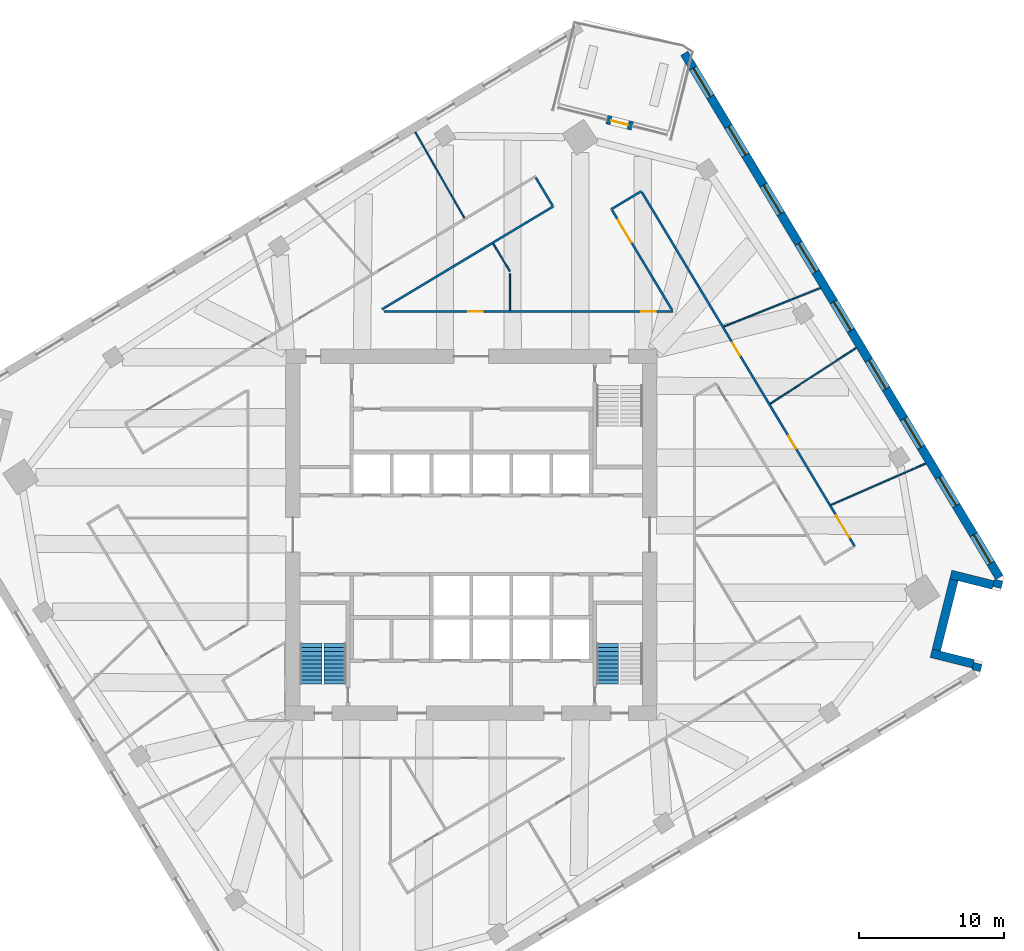
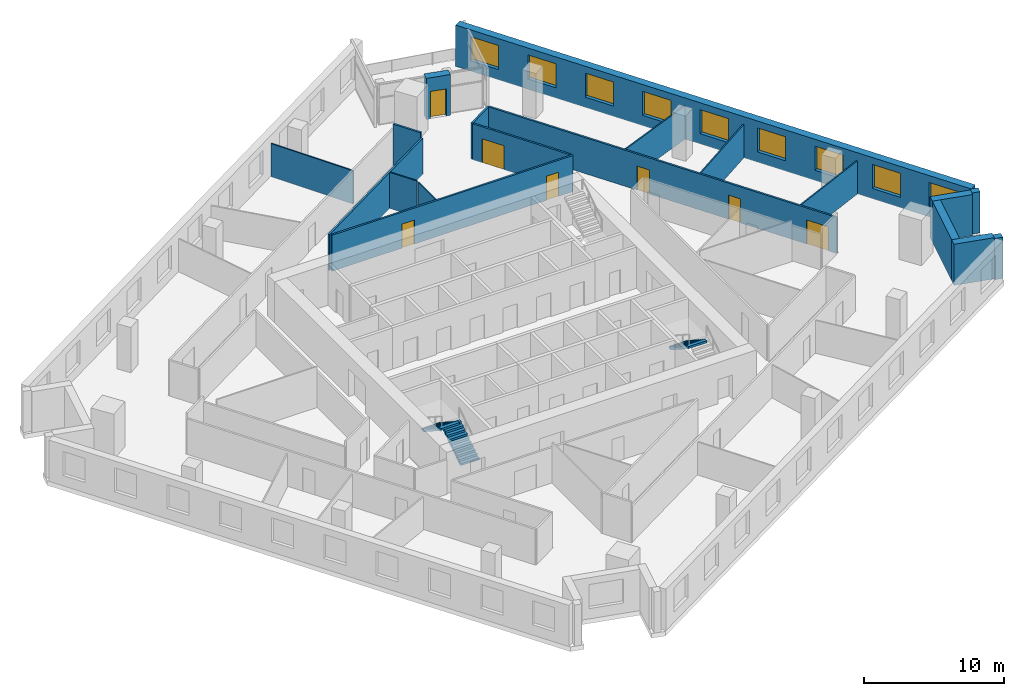
# One storey, part 10 of 14: 19 walls, 9 windows, 7 doors, 3 stair flights, 16 openings, 2 elements without a shape of their own.
"""IFC4 building model written with IfcOpenShell, lengths in metres."""

from ifc_helpers import new_model, si_unit, direction, frame, frame_2d, origin, place, context, subcontext, project, spatial, polyline, rectangle, outline, extrude, material, layer, layer_set, type_object, element, fill, aggregate, save


model = new_model("IFC4")

# Units and contexts
model_context = context("Model", 3, precision=1e-05, world=origin(), true_north=direction((0.0, 1.0)))
body_context = subcontext(model_context, "Body", "Model", "MODEL_VIEW")
ifc_project = project(units=[si_unit("LENGTHUNIT", "METRE"), si_unit("AREAUNIT", "SQUARE_METRE"), si_unit("VOLUMEUNIT", "CUBIC_METRE"), si_unit("PLANEANGLEUNIT", "RADIAN"), si_unit("MASSUNIT", "GRAM", prefix="KILO")], contexts=[model_context])

# Site, building, storey
site_placement = place(None, origin())
site = spatial("IfcSite", under=ifc_project, at=site_placement, CompositionType="ELEMENT")
building_placement = place(site_placement, origin())
building = spatial("IfcBuilding", under=site, at=building_placement, Name="Dilmun Exchange Tower", CompositionType="ELEMENT")
storey_placement = place(building_placement, frame((0.0, 0.0, 151.699951171875)))
storey = spatial("IfcBuildingStorey", under=building, at=storey_placement, Name="L35", CompositionType="ELEMENT", Elevation=151.699951171875)

# Wall
ifc_material_1 = material(Name="Corridor wall 150")
ifc_layer_1 = layer(ifc_material_1, 0.14990234375)
ifc_layer_set_1 = layer_set([ifc_layer_1], Name="Corridor wall 150")
wall_type_1 = type_object("IfcWallType", Name="Corridor wall 150", PredefinedType="PARTITIONING", material=ifc_layer_set_1)
wall_1_placement = place(storey_placement, frame((-6.15966796875, 15.5517578125, 0.0), z_axis=(0.0, 0.0, 1.0), x_axis=(0.857176686564, 0.51502245389, 0.0)))
element("IfcWall", 1, at=wall_1_placement, inside=storey, type_object=wall_type_1, Name="Corridor wall", PredefinedType="PARTITIONING", context=body_context, shape_type="SweptSolid", body=[
    extrude(rectangle(XDim=13.76708984375, YDim=0.14990234375, at=frame_2d((6.883544921875, 0.0))), origin(), (0.0, 0.0, 1.0), 3.150146484375),
])

# Wall, openings, doors
wall_2_placement = place(storey_placement, frame((-6.023193359375, 15.39990234375, 0.0), z_axis=(0.0, 0.0, 1.0), x_axis=(1.0, 0.0, 0.0)))
wall_2 = element("IfcWall", 2, at=wall_2_placement, inside=storey, type_object=wall_type_1, Name="Corridor wall", PredefinedType="PARTITIONING", context=body_context, shape_type="SweptSolid", body=[
    extrude(rectangle(XDim=19.93115234375, YDim=0.14990234375, at=frame_2d((9.965576171875, 0.0))), origin(), (0.0, 0.0, 1.0), 3.150146484375),
])
opening_1_placement = place(wall_2_placement, frame((5.800048828125, 0.0, 0.0)))
opening_1 = element("IfcOpeningElement", 3, at=opening_1_placement, cuts=wall_2, Name="Opening TF34-D12", PredefinedType="OPENING", context=body_context, shape_type="SweptSolid", body=[
    extrude(rectangle(XDim=1.0, YDim=2.10009765625, at=frame_2d((0.5, 1.050048828125))), frame((0.0, 0.0849609375, 0.0), z_axis=(0.0, -1.0, 0.0), x_axis=(1.0, 0.0, 0.0)), (0.0, 0.0, 1.0), 0.169921875),
])
opening_2_placement = place(wall_2_placement, frame((17.730224609375, 0.0, 0.0)))
opening_2 = element("IfcOpeningElement", 4, at=opening_2_placement, cuts=wall_2, Name="Opening TF34-D15", PredefinedType="OPENING", context=body_context, shape_type="SweptSolid", body=[
    extrude(rectangle(XDim=1.0, YDim=2.10009765625, at=frame_2d((0.5, 1.050048828125))), frame((0.0, 0.0849609375, 0.0), z_axis=(0.0, -1.0, 0.0), x_axis=(1.0, 0.0, 0.0)), (0.0, 0.0, 1.0), 0.169921875),
])
ifc_material_2 = material(Name="Fire door 1000 x 2100")
door_type_1 = type_object("IfcDoorType", Name="Fire door 1000 x 2100", OperationType="NOTDEFINED", PredefinedType="DOOR", material=ifc_material_2)
door_1_placement = place(opening_1_placement, origin())
door_1 = element("IfcDoor", 5, at=door_1_placement, inside=storey, type_object=door_type_1, Name="Door TF34-D12", OperationType="SINGLE_SWING_RIGHT", OverallHeight=2.10009765625, OverallWidth=1.0, PredefinedType="DOOR", context=body_context, shape_type="SweptSolid", body=[
    extrude(rectangle(XDim=1.0, YDim=2.10009765625, at=frame_2d((0.5, 1.050048828125))), frame((0.0, 0.02490234375, 0.0), z_axis=(0.0, -1.0, 0.0), x_axis=(1.0, 0.0, 0.0)), (0.0, 0.0, 1.0), 0.050048828125),
])
fill(opening_1, door_1)
door_2_placement = place(opening_2_placement, origin())
door_2 = element("IfcDoor", 6, at=door_2_placement, inside=storey, type_object=door_type_1, Name="Door TF34-D15", OperationType="SINGLE_SWING_RIGHT", OverallHeight=2.10009765625, OverallWidth=1.0, PredefinedType="DOOR", context=body_context, shape_type="SweptSolid", body=[
    extrude(rectangle(XDim=1.0, YDim=2.10009765625, at=frame_2d((0.5, 1.050048828125))), frame((0.0, 0.02490234375, 0.0), z_axis=(0.0, -1.0, 0.0), x_axis=(1.0, 0.0, 0.0)), (0.0, 0.0, 1.0), 0.050048828125),
])
fill(opening_2, door_2)

# Walls
wall_3_placement = place(storey_placement, frame((4.443603515625, 24.6357421875, 0.0), z_axis=(0.0, 0.0, 1.0), x_axis=(0.514830717933, -0.857291859213, 0.0)))
element("IfcWall", 7, at=wall_3_placement, inside=storey, type_object=wall_type_1, Name="Corridor wall", PredefinedType="PARTITIONING", context=body_context, shape_type="SweptSolid", body=[
    extrude(rectangle(XDim=2.250732421875, YDim=0.14990234375, at=frame_2d((1.12548828125, 0.0))), origin(), (0.0, 0.0, 1.0), 3.60009765625),
])
wall_4_placement = place(storey_placement, frame((9.6650390625, 22.4609375, 0.0), z_axis=(0.0, 0.0, 1.0), x_axis=(0.857133645358, 0.515094082664, 0.0)))
element("IfcWall", 8, at=wall_4_placement, inside=storey, type_object=wall_type_1, Name="Corridor wall", PredefinedType="PARTITIONING", context=body_context, shape_type="SweptSolid", body=[
    extrude(rectangle(XDim=2.399658203125, YDim=0.14990234375, at=frame_2d((1.19970703125, 0.0))), origin(), (0.0, 0.0, 1.0), 3.150146484375),
])

# Wall, opening, door
wall_5_placement = place(storey_placement, frame((9.70361328125, 22.396728515625, 0.0), z_axis=(0.0, 0.0, 1.0), x_axis=(0.51505899604, -0.857154729671, 0.0)))
wall_5 = element("IfcWall", 9, at=wall_5_placement, inside=storey, type_object=wall_type_1, Name="Corridor wall", PredefinedType="PARTITIONING", context=body_context, shape_type="SweptSolid", body=[
    extrude(rectangle(XDim=8.030029296875, YDim=0.14990234375, at=frame_2d((4.01513671875, 0.0))), origin(), (0.0, 0.0, 1.0), 3.150146484375),
])
opening_3_placement = place(wall_5_placement, frame((0.800048828125, 0.0, 0.0)))
opening_3 = element("IfcOpeningElement", 10, at=opening_3_placement, cuts=wall_5, Name="Opening TF34-D14", PredefinedType="OPENING", context=body_context, shape_type="SweptSolid", body=[
    extrude(rectangle(XDim=1.800048828125, YDim=2.10009765625, at=frame_2d((0.89990234375, 1.050048828125))), frame((0.0, 0.0849609375, 0.0), z_axis=(0.0, -1.0, 0.0), x_axis=(1.0, 0.0, 0.0)), (0.0, 0.0, 1.0), 0.169921875),
])
ifc_material_3 = material(Name="Fire door pair 1800 x 2100")
door_type_2 = type_object("IfcDoorType", Name="Fire door pair 1800 x 2100", OperationType="NOTDEFINED", PredefinedType="DOOR", material=ifc_material_3)
door_3_placement = place(opening_3_placement, frame((1.800048828125, 0.0, 0.0), z_axis=(0.0, 0.0, 1.0), x_axis=(-1.0, 0.0, 0.0)))
door_3 = element("IfcDoor", 11, at=door_3_placement, inside=storey, type_object=door_type_2, Name="Door TF34-D14", OperationType="DOUBLE_DOOR_SINGLE_SWING", OverallHeight=2.10009765625, OverallWidth=1.800048828125, PredefinedType="DOOR", context=body_context, shape_type="SweptSolid", body=[
    extrude(rectangle(XDim=1.800048828125, YDim=2.10009765625, at=frame_2d((0.89990234375, 1.050048828125))), frame((0.0, 0.02490234375, 0.0), z_axis=(0.0, -1.0, 0.0), x_axis=(1.0, 0.0, 0.0)), (0.0, 0.0, 1.0), 0.050048828125),
])
fill(opening_3, door_3)

# Wall, openings, doors
wall_6_placement = place(storey_placement, frame((11.760498046875, 23.6328125, 0.0), z_axis=(0.0, 0.0, 1.0), x_axis=(0.515060503771, -0.857153823684, 0.0)))
wall_6 = element("IfcWall", 12, at=wall_6_placement, inside=storey, type_object=wall_type_1, Name="Corridor wall", PredefinedType="PARTITIONING", context=body_context, shape_type="SweptSolid", body=[
    extrude(rectangle(XDim=28.475341796875, YDim=0.14990234375, at=frame_2d((14.23779296875, 0.0))), origin(), (0.0, 0.0, 1.0), 3.150146484375),
])
opening_4_placement = place(wall_6_placement, frame((12.149169921875, 0.0, 0.0)))
opening_4 = element("IfcOpeningElement", 13, at=opening_4_placement, cuts=wall_6, Name="Opening TF34-D21", PredefinedType="OPENING", context=body_context, shape_type="SweptSolid", body=[
    extrude(rectangle(XDim=1.0, YDim=2.10009765625, at=frame_2d((0.5, 1.050048828125))), frame((0.0, 0.0849609375, 0.0), z_axis=(0.0, -1.0, 0.0), x_axis=(1.0, 0.0, 0.0)), (0.0, 0.0, 1.0), 0.169921875),
])
opening_5_placement = place(wall_6_placement, frame((19.620361328125, 0.0, 0.0)))
opening_5 = element("IfcOpeningElement", 14, at=opening_5_placement, cuts=wall_6, Name="Opening TF34-D22", PredefinedType="OPENING", context=body_context, shape_type="SweptSolid", body=[
    extrude(rectangle(XDim=1.0, YDim=2.10009765625, at=frame_2d((0.5, 1.050048828125))), frame((0.0, 0.0849609375, 0.0), z_axis=(0.0, -1.0, 0.0), x_axis=(1.0, 0.0, 0.0)), (0.0, 0.0, 1.0), 0.169921875),
])
opening_6_placement = place(wall_6_placement, frame((26.005126953125, 0.0, 0.0)))
opening_6 = element("IfcOpeningElement", 15, at=opening_6_placement, cuts=wall_6, Name="Opening TF34-D23", PredefinedType="OPENING", context=body_context, shape_type="SweptSolid", body=[
    extrude(rectangle(XDim=1.800048828125, YDim=2.10009765625, at=frame_2d((0.89990234375, 1.050048828125))), frame((0.0, 0.0849609375, 0.0), z_axis=(0.0, -1.0, 0.0), x_axis=(1.0, 0.0, 0.0)), (0.0, 0.0, 1.0), 0.169921875),
])
door_4_placement = place(opening_4_placement, origin())
door_4 = element("IfcDoor", 16, at=door_4_placement, inside=storey, type_object=door_type_1, Name="Door TF34-D21", OperationType="SINGLE_SWING_LEFT", OverallHeight=2.10009765625, OverallWidth=1.0, PredefinedType="DOOR", context=body_context, shape_type="SweptSolid", body=[
    extrude(rectangle(XDim=1.0, YDim=2.10009765625, at=frame_2d((0.5, 1.050048828125))), frame((0.0, 0.02490234375, 0.0), z_axis=(0.0, -1.0, 0.0), x_axis=(1.0, 0.0, 0.0)), (0.0, 0.0, 1.0), 0.050048828125),
])
fill(opening_4, door_4)
door_5_placement = place(opening_5_placement, origin())
door_5 = element("IfcDoor", 17, at=door_5_placement, inside=storey, type_object=door_type_1, Name="Door TF34-D22", OperationType="SINGLE_SWING_LEFT", OverallHeight=2.10009765625, OverallWidth=1.0, PredefinedType="DOOR", context=body_context, shape_type="SweptSolid", body=[
    extrude(rectangle(XDim=1.0, YDim=2.10009765625, at=frame_2d((0.5, 1.050048828125))), frame((0.0, 0.02490234375, 0.0), z_axis=(0.0, -1.0, 0.0), x_axis=(1.0, 0.0, 0.0)), (0.0, 0.0, 1.0), 0.050048828125),
])
fill(opening_5, door_5)
door_6_placement = place(opening_6_placement, origin())
door_6 = element("IfcDoor", 18, at=door_6_placement, inside=storey, type_object=door_type_2, Name="Door TF34-D23", OperationType="DOUBLE_DOOR_SINGLE_SWING", OverallHeight=2.10009765625, OverallWidth=1.800048828125, PredefinedType="DOOR", context=body_context, shape_type="SweptSolid", body=[
    extrude(rectangle(XDim=1.800048828125, YDim=2.10009765625, at=frame_2d((0.89990234375, 1.050048828125))), frame((0.0, 0.02490234375, 0.0), z_axis=(0.0, -1.0, 0.0), x_axis=(1.0, 0.0, 0.0)), (0.0, 0.0, 1.0), 0.050048828125),
])
fill(opening_6, door_6)

# Walls
ifc_material_4 = material(Name="Partition 100")
ifc_layer_2 = layer(ifc_material_4, 0.10009765625)
ifc_layer_set_2 = layer_set([ifc_layer_2], Name="Partition 100")
wall_type_2 = type_object("IfcWallType", Name="Partition 100", PredefinedType="PARTITIONING", material=ifc_layer_set_2)
wall_7_placement = place(storey_placement, frame((-3.86865234375, 27.772216796875, 0.0), z_axis=(0.0, 0.0, 1.0), x_axis=(0.496921350826, -0.867795581398, 0.0)))
element("IfcWall", 19, at=wall_7_placement, inside=storey, type_object=wall_type_2, Name="Partition", PredefinedType="PARTITIONING", context=body_context, shape_type="SweptSolid", body=[
    extrude(rectangle(XDim=6.81982421875, YDim=0.10009765625, at=frame_2d((3.409912109375, 0.0))), origin(), (0.0, 0.0, 1.0), 2.900146484375),
])
wall_8_placement = place(storey_placement, frame((1.515625, 20.07568359375, 0.0), z_axis=(0.0, 0.0, 1.0), x_axis=(0.515208669109, -0.857064774259, 0.0)))
element("IfcWall", 20, at=wall_8_placement, inside=storey, type_object=wall_type_2, Name="Partition", PredefinedType="PARTITIONING", context=body_context, shape_type="SweptSolid", body=[
    extrude(rectangle(XDim=2.21533203125, YDim=0.10009765625, at=frame_2d((1.107666015625, 0.0))), origin(), (0.0, 0.0, 1.0), 3.150146484375),
])
wall_9_placement = place(storey_placement, frame((2.656982421875, 15.47509765625, 0.0), z_axis=(0.0, 0.0, 1.0), x_axis=(0.0, 1.0, 0.0)))
element("IfcWall", 21, at=wall_9_placement, inside=storey, type_object=wall_type_2, Name="Partition", PredefinedType="PARTITIONING", context=body_context, shape_type="SweptSolid", body=[
    extrude(rectangle(XDim=2.521728515625, YDim=0.10009765625, at=frame_2d((1.2607421875, 0.0))), origin(), (0.0, 0.0, 1.0), 3.150146484375),
])
wall_10_placement = place(storey_placement, frame((17.427001953125, 14.3642578125, 0.0), z_axis=(0.0, 0.0, 1.0), x_axis=(0.928344828439, 0.371720162906, 0.0)))
element("IfcWall", 22, at=wall_10_placement, inside=storey, type_object=wall_type_2, Name="Partition", PredefinedType="PARTITIONING", context=body_context, shape_type="SweptSolid", body=[
    extrude(rectangle(XDim=7.15380859375, YDim=0.10009765625, at=frame_2d((3.576904296875, 0.0))), origin(), (0.0, 0.0, 1.0), 2.900146484375),
])
wall_11_placement = place(storey_placement, frame((20.618408203125, 9.041748046875, 0.0), z_axis=(0.0, 0.0, 1.0), x_axis=(0.838556384035, 0.544814822479, 0.0)))
element("IfcWall", 23, at=wall_11_placement, inside=storey, type_object=wall_type_2, Name="Partition", PredefinedType="PARTITIONING", context=body_context, shape_type="SweptSolid", body=[
    extrude(rectangle(XDim=7.072265625, YDim=0.10009765625, at=frame_2d((3.5361328125, 0.0))), origin(), (0.0, 0.0, 1.0), 2.900146484375),
])
wall_12_placement = place(storey_placement, frame((24.818115234375, 2.060791015625, 0.0), z_axis=(0.0, 0.0, 1.0), x_axis=(0.915839969102, 0.401543460905, 0.0)))
element("IfcWall", 24, at=wall_12_placement, inside=storey, type_object=wall_type_2, Name="Partition", PredefinedType="PARTITIONING", context=body_context, shape_type="SweptSolid", body=[
    extrude(rectangle(XDim=7.12158203125, YDim=0.10009765625, at=frame_2d((3.560791015625, 0.0))), origin(), (0.0, 0.0, 1.0), 2.900146484375),
])
ifc_material_5 = material(Name="Precast concrete C50/60", Category="concrete")
ifc_layer_3 = layer(ifc_material_5, 0.60009765625)
ifc_layer_set_3 = layer_set([ifc_layer_3], Name="Precast concrete C50/60")
wall_type_3 = type_object("IfcWallType", Name="Precast stone-clad wall 600", PredefinedType="STANDARD", material=ifc_layer_set_3)
wall_13_placement = place(storey_placement, frame((34.8134765625, -9.3662109375, 0.0), z_axis=(0.0, 0.0, 1.0), x_axis=(0.242086198947, 0.970254746074, 0.0)))
element("IfcWall", 25, at=wall_13_placement, inside=storey, type_object=wall_type_3, Name="Facade wall L35-16", PredefinedType="STANDARD", context=body_context, shape_type="SweptSolid", body=[
    extrude(rectangle(XDim=0.51123046875, YDim=0.60009765625, at=frame_2d((0.255615234375, 0.0))), origin(), (0.0, 0.0, 1.0), 3.60009765625),
])
wall_14_placement = place(storey_placement, frame((34.6220703125, -8.894287109375, 0.0), z_axis=(0.0, 0.0, 1.0), x_axis=(-0.970309818485, 0.241865367822, 0.0)))
element("IfcWall", 26, at=wall_14_placement, inside=storey, type_object=wall_type_3, Name="Facade wall L35-17", PredefinedType="STANDARD", context=body_context, shape_type="SweptSolid", body=[
    extrude(rectangle(XDim=3.0, YDim=0.60009765625, at=frame_2d((1.5, 0.0))), origin(), (0.0, 0.0, 1.0), 3.60009765625),
])
wall_15_placement = place(storey_placement, frame((32.07470703125, -7.9501953125, 0.0), z_axis=(0.0, 0.0, 1.0), x_axis=(0.241892195562, 0.970303130844, 0.0)))
element("IfcWall", 27, at=wall_15_placement, inside=storey, type_object=wall_type_3, Name="Facade wall L35-18", PredefinedType="STANDARD", context=body_context, shape_type="SweptSolid", body=[
    extrude(rectangle(XDim=5.0, YDim=0.60009765625, at=frame_2d((2.5, 0.0))), origin(), (0.0, 0.0, 1.0), 3.60009765625),
])
wall_16_placement = place(storey_placement, frame((33.06591796875, -2.735107421875, 0.0), z_axis=(0.0, 0.0, 1.0), x_axis=(0.970309818485, -0.241865367822, 0.0)))
element("IfcWall", 28, at=wall_16_placement, inside=storey, type_object=wall_type_3, Name="Facade wall L35-19", PredefinedType="STANDARD", context=body_context, shape_type="SweptSolid", body=[
    extrude(rectangle(XDim=3.0, YDim=0.60009765625, at=frame_2d((1.5, 0.0))), origin(), (0.0, 0.0, 1.0), 3.60009765625),
])
wall_17_placement = place(storey_placement, frame((36.24365234375, -3.63037109375, 0.0), z_axis=(0.0, 0.0, 1.0), x_axis=(0.241636616978, 0.970366809683, 0.0)))
element("IfcWall", 29, at=wall_17_placement, inside=storey, type_object=wall_type_3, Name="Facade wall L35-20", PredefinedType="STANDARD", context=body_context, shape_type="SweptSolid", body=[
    extrude(rectangle(XDim=0.51123046875, YDim=0.60009765625, at=frame_2d((0.255615234375, 0.0))), origin(), (0.0, 0.0, 1.0), 3.60009765625),
])

# Wall, openings, windows
wall_18_placement = place(storey_placement, frame((36.415771484375, -2.940185546875, 0.0), z_axis=(0.0, 0.0, 1.0), x_axis=(-0.515039615037, 0.857166375299, 0.0)))
wall_18 = element("IfcWall", 30, at=wall_18_placement, inside=storey, type_object=wall_type_3, Name="Facade wall L35-21", PredefinedType="STANDARD", context=body_context, shape_type="SweptSolid", body=[
    extrude(rectangle(XDim=42.17578125, YDim=0.60009765625, at=frame_2d((21.087890625, 0.0))), origin(), (0.0, 0.0, 1.0), 3.60009765625),
])
opening_7_placement = place(wall_18_placement, frame((1.137939453125, 0.0, 0.89990234375)))
opening_7 = element("IfcOpeningElement", 31, at=opening_7_placement, cuts=wall_18, Name="Opening W230-210", PredefinedType="OPENING", context=body_context, shape_type="SweptSolid", body=[
    extrude(rectangle(XDim=2.300048828125, YDim=2.10009765625, at=frame_2d((1.14990234375, 1.050048828125))), frame((0.0, 0.31005859375, 0.0), z_axis=(0.0, -1.0, 0.0), x_axis=(1.0, 0.0, 0.0)), (0.0, 0.0, 1.0), 0.6201171875),
])
opening_8_placement = place(wall_18_placement, frame((5.775634765625, 0.0, 0.89990234375)))
opening_8 = element("IfcOpeningElement", 32, at=opening_8_placement, cuts=wall_18, Name="Opening W230-210", PredefinedType="OPENING", context=body_context, shape_type="SweptSolid", body=[
    extrude(rectangle(XDim=2.300048828125, YDim=2.10009765625, at=frame_2d((1.14990234375, 1.050048828125))), frame((0.0, 0.31005859375, 0.0), z_axis=(0.0, -1.0, 0.0), x_axis=(1.0, 0.0, 0.0)), (0.0, 0.0, 1.0), 0.6201171875),
])
opening_9_placement = place(wall_18_placement, frame((10.4755859375, 0.0, 0.89990234375)))
opening_9 = element("IfcOpeningElement", 33, at=opening_9_placement, cuts=wall_18, Name="Opening W230-210", PredefinedType="OPENING", context=body_context, shape_type="SweptSolid", body=[
    extrude(rectangle(XDim=2.300048828125, YDim=2.10009765625, at=frame_2d((1.14990234375, 1.050048828125))), frame((0.0, 0.31005859375, 0.0), z_axis=(0.0, -1.0, 0.0), x_axis=(1.0, 0.0, 0.0)), (0.0, 0.0, 1.0), 0.6201171875),
])
opening_10_placement = place(wall_18_placement, frame((15.17578125, 0.0, 0.89990234375)))
opening_10 = element("IfcOpeningElement", 34, at=opening_10_placement, cuts=wall_18, Name="Opening W230-210", PredefinedType="OPENING", context=body_context, shape_type="SweptSolid", body=[
    extrude(rectangle(XDim=2.300048828125, YDim=2.10009765625, at=frame_2d((1.14990234375, 1.050048828125))), frame((0.0, 0.31005859375, 0.0), z_axis=(0.0, -1.0, 0.0), x_axis=(1.0, 0.0, 0.0)), (0.0, 0.0, 1.0), 0.6201171875),
])
opening_11_placement = place(wall_18_placement, frame((19.875732421875, 0.0, 0.89990234375)))
opening_11 = element("IfcOpeningElement", 35, at=opening_11_placement, cuts=wall_18, Name="Opening W230-210", PredefinedType="OPENING", context=body_context, shape_type="SweptSolid", body=[
    extrude(rectangle(XDim=2.300048828125, YDim=2.10009765625, at=frame_2d((1.14990234375, 1.050048828125))), frame((0.0, 0.31005859375, 0.0), z_axis=(0.0, -1.0, 0.0), x_axis=(1.0, 0.0, 0.0)), (0.0, 0.0, 1.0), 0.6201171875),
])
opening_12_placement = place(wall_18_placement, frame((24.57568359375, 0.0, 0.89990234375)))
opening_12 = element("IfcOpeningElement", 36, at=opening_12_placement, cuts=wall_18, Name="Opening W230-210", PredefinedType="OPENING", context=body_context, shape_type="SweptSolid", body=[
    extrude(rectangle(XDim=2.300048828125, YDim=2.10009765625, at=frame_2d((1.14990234375, 1.050048828125))), frame((0.0, 0.31005859375, 0.0), z_axis=(0.0, -1.0, 0.0), x_axis=(1.0, 0.0, 0.0)), (0.0, 0.0, 1.0), 0.6201171875),
])
opening_13_placement = place(wall_18_placement, frame((29.275634765625, 0.0, 0.89990234375)))
opening_13 = element("IfcOpeningElement", 37, at=opening_13_placement, cuts=wall_18, Name="Opening W230-210", PredefinedType="OPENING", context=body_context, shape_type="SweptSolid", body=[
    extrude(rectangle(XDim=2.300048828125, YDim=2.10009765625, at=frame_2d((1.14990234375, 1.050048828125))), frame((0.0, 0.31005859375, 0.0), z_axis=(0.0, -1.0, 0.0), x_axis=(1.0, 0.0, 0.0)), (0.0, 0.0, 1.0), 0.6201171875),
])
opening_14_placement = place(wall_18_placement, frame((33.9755859375, 0.0, 0.89990234375)))
opening_14 = element("IfcOpeningElement", 38, at=opening_14_placement, cuts=wall_18, Name="Opening W230-210", PredefinedType="OPENING", context=body_context, shape_type="SweptSolid", body=[
    extrude(rectangle(XDim=2.300048828125, YDim=2.10009765625, at=frame_2d((1.14990234375, 1.050048828125))), frame((0.0, 0.31005859375, 0.0), z_axis=(0.0, -1.0, 0.0), x_axis=(1.0, 0.0, 0.0)), (0.0, 0.0, 1.0), 0.6201171875),
])
opening_15_placement = place(wall_18_placement, frame((38.67578125, 0.0, 0.89990234375)))
opening_15 = element("IfcOpeningElement", 39, at=opening_15_placement, cuts=wall_18, Name="Opening W230-210", PredefinedType="OPENING", context=body_context, shape_type="SweptSolid", body=[
    extrude(rectangle(XDim=2.300048828125, YDim=2.10009765625, at=frame_2d((1.14990234375, 1.050048828125))), frame((0.0, 0.31005859375, 0.0), z_axis=(0.0, -1.0, 0.0), x_axis=(1.0, 0.0, 0.0)), (0.0, 0.0, 1.0), 0.6201171875),
])
ifc_material_6 = material(Name="Clear low-emissivity glass in aluminium frame", Category="aluminium")
window_type = type_object("IfcWindowType", Name="Punched window 2300 x 2100", PartitioningType="DOUBLE_PANEL_VERTICAL", PredefinedType="WINDOW", material=ifc_material_6)
window_1_placement = place(opening_7_placement, origin())
window_1 = element("IfcWindow", 40, at=window_1_placement, inside=storey, type_object=window_type, Name="Window 22.1", OverallHeight=2.10009765625, OverallWidth=2.300048828125, PartitioningType="SINGLE_PANEL", PredefinedType="WINDOW", context=body_context, shape_type="SweptSolid", body=[
    extrude(rectangle(XDim=2.300048828125, YDim=2.10009765625, at=frame_2d((1.14990234375, 1.050048828125))), frame((0.0, 0.030029296875, 0.0), z_axis=(0.0, -1.0, 0.0), x_axis=(1.0, 0.0, 0.0)), (0.0, 0.0, 1.0), 0.06005859375),
])
fill(opening_7, window_1)
window_2_placement = place(opening_8_placement, origin())
window_2 = element("IfcWindow", 41, at=window_2_placement, inside=storey, type_object=window_type, Name="Window 22.2", OverallHeight=2.10009765625, OverallWidth=2.300048828125, PartitioningType="SINGLE_PANEL", PredefinedType="WINDOW", context=body_context, shape_type="SweptSolid", body=[
    extrude(rectangle(XDim=2.300048828125, YDim=2.10009765625, at=frame_2d((1.14990234375, 1.050048828125))), frame((0.0, 0.030029296875, 0.0), z_axis=(0.0, -1.0, 0.0), x_axis=(1.0, 0.0, 0.0)), (0.0, 0.0, 1.0), 0.06005859375),
])
fill(opening_8, window_2)
window_3_placement = place(opening_9_placement, origin())
window_3 = element("IfcWindow", 42, at=window_3_placement, inside=storey, type_object=window_type, Name="Window 22.3", OverallHeight=2.10009765625, OverallWidth=2.300048828125, PartitioningType="SINGLE_PANEL", PredefinedType="WINDOW", context=body_context, shape_type="SweptSolid", body=[
    extrude(rectangle(XDim=2.300048828125, YDim=2.10009765625, at=frame_2d((1.14990234375, 1.050048828125))), frame((0.0, 0.030029296875, 0.0), z_axis=(0.0, -1.0, 0.0), x_axis=(1.0, 0.0, 0.0)), (0.0, 0.0, 1.0), 0.06005859375),
])
fill(opening_9, window_3)
window_4_placement = place(opening_10_placement, origin())
window_4 = element("IfcWindow", 43, at=window_4_placement, inside=storey, type_object=window_type, Name="Window 22.4", OverallHeight=2.10009765625, OverallWidth=2.300048828125, PartitioningType="SINGLE_PANEL", PredefinedType="WINDOW", context=body_context, shape_type="SweptSolid", body=[
    extrude(rectangle(XDim=2.300048828125, YDim=2.10009765625, at=frame_2d((1.14990234375, 1.050048828125))), frame((0.0, 0.030029296875, 0.0), z_axis=(0.0, -1.0, 0.0), x_axis=(1.0, 0.0, 0.0)), (0.0, 0.0, 1.0), 0.06005859375),
])
fill(opening_10, window_4)
window_5_placement = place(opening_11_placement, origin())
window_5 = element("IfcWindow", 44, at=window_5_placement, inside=storey, type_object=window_type, Name="Window 22.5", OverallHeight=2.10009765625, OverallWidth=2.300048828125, PartitioningType="SINGLE_PANEL", PredefinedType="WINDOW", context=body_context, shape_type="SweptSolid", body=[
    extrude(rectangle(XDim=2.300048828125, YDim=2.10009765625, at=frame_2d((1.14990234375, 1.050048828125))), frame((0.0, 0.030029296875, 0.0), z_axis=(0.0, -1.0, 0.0), x_axis=(1.0, 0.0, 0.0)), (0.0, 0.0, 1.0), 0.06005859375),
])
fill(opening_11, window_5)
window_6_placement = place(opening_12_placement, origin())
window_6 = element("IfcWindow", 45, at=window_6_placement, inside=storey, type_object=window_type, Name="Window 22.6", OverallHeight=2.10009765625, OverallWidth=2.300048828125, PartitioningType="SINGLE_PANEL", PredefinedType="WINDOW", context=body_context, shape_type="SweptSolid", body=[
    extrude(rectangle(XDim=2.300048828125, YDim=2.10009765625, at=frame_2d((1.14990234375, 1.050048828125))), frame((0.0, 0.030029296875, 0.0), z_axis=(0.0, -1.0, 0.0), x_axis=(1.0, 0.0, 0.0)), (0.0, 0.0, 1.0), 0.06005859375),
])
fill(opening_12, window_6)
window_7_placement = place(opening_13_placement, origin())
window_7 = element("IfcWindow", 46, at=window_7_placement, inside=storey, type_object=window_type, Name="Window 22.7", OverallHeight=2.10009765625, OverallWidth=2.300048828125, PartitioningType="SINGLE_PANEL", PredefinedType="WINDOW", context=body_context, shape_type="SweptSolid", body=[
    extrude(rectangle(XDim=2.300048828125, YDim=2.10009765625, at=frame_2d((1.14990234375, 1.050048828125))), frame((0.0, 0.030029296875, 0.0), z_axis=(0.0, -1.0, 0.0), x_axis=(1.0, 0.0, 0.0)), (0.0, 0.0, 1.0), 0.06005859375),
])
fill(opening_13, window_7)
window_8_placement = place(opening_14_placement, origin())
window_8 = element("IfcWindow", 47, at=window_8_placement, inside=storey, type_object=window_type, Name="Window 22.8", OverallHeight=2.10009765625, OverallWidth=2.300048828125, PartitioningType="SINGLE_PANEL", PredefinedType="WINDOW", context=body_context, shape_type="SweptSolid", body=[
    extrude(rectangle(XDim=2.300048828125, YDim=2.10009765625, at=frame_2d((1.14990234375, 1.050048828125))), frame((0.0, 0.030029296875, 0.0), z_axis=(0.0, -1.0, 0.0), x_axis=(1.0, 0.0, 0.0)), (0.0, 0.0, 1.0), 0.06005859375),
])
fill(opening_14, window_8)
window_9_placement = place(opening_15_placement, origin())
window_9 = element("IfcWindow", 48, at=window_9_placement, inside=storey, type_object=window_type, Name="Window 22.9", OverallHeight=2.10009765625, OverallWidth=2.300048828125, PartitioningType="SINGLE_PANEL", PredefinedType="WINDOW", context=body_context, shape_type="SweptSolid", body=[
    extrude(rectangle(XDim=2.300048828125, YDim=2.10009765625, at=frame_2d((1.14990234375, 1.050048828125))), frame((0.0, 0.030029296875, 0.0), z_axis=(0.0, -1.0, 0.0), x_axis=(1.0, 0.0, 0.0)), (0.0, 0.0, 1.0), 0.06005859375),
])
fill(opening_15, window_9)

# Wall, opening, door
wall_19_placement = place(storey_placement, frame((11.096923828125, 28.1982421875, 0.0), z_axis=(0.0, 0.0, 1.0), x_axis=(-0.970277994717, 0.241993001898, 0.0)))
wall_19 = element("IfcWall", 49, at=wall_19_placement, inside=storey, type_object=wall_type_3, Name="Facade wall L35-01-D", PredefinedType="STANDARD", context=body_context, shape_type="SweptSolid", body=[
    extrude(rectangle(XDim=1.7998046875, YDim=0.60009765625, at=frame_2d((0.89990234375, 0.0))), origin(), (0.0, 0.0, 1.0), 3.60009765625),
])
opening_16_placement = place(wall_19_placement, frame((0.300048828125, 0.0, 0.0)))
opening_16 = element("IfcOpeningElement", 50, at=opening_16_placement, cuts=wall_19, Name="Opening GD-1", PredefinedType="OPENING", context=body_context, shape_type="SweptSolid", body=[
    extrude(rectangle(XDim=1.199951171875, YDim=2.39990234375, at=frame_2d((0.60009765625, 1.199951171875))), frame((0.0, 0.31005859375, 0.0), z_axis=(0.0, -1.0, 0.0), x_axis=(1.0, 0.0, 0.0)), (0.0, 0.0, 1.0), 0.6201171875),
])
door_type_3 = type_object("IfcDoorType", Name="Glazed garden door 1200 x 2400", OperationType="SINGLE_SWING_LEFT", PredefinedType="DOOR", material=ifc_material_6)
door_7_placement = place(opening_16_placement, origin())
door_7 = element("IfcDoor", 51, at=door_7_placement, inside=storey, type_object=door_type_3, Name="Garden terrace door", OperationType="SINGLE_SWING_LEFT", OverallHeight=2.39990234375, OverallWidth=1.199951171875, PredefinedType="DOOR", context=body_context, shape_type="SweptSolid", body=[
    extrude(rectangle(XDim=1.199951171875, YDim=2.39990234375, at=frame_2d((0.60009765625, 1.199951171875))), frame((0.0, 0.02490234375, 0.0), z_axis=(0.0, -1.0, 0.0), x_axis=(1.0, 0.0, 0.0)), (0.0, 0.0, 1.0), 0.050048828125),
])
fill(opening_16, door_7)

# Stair, stair flights
ifc_material_7 = material(Name="Concrete C40/50", Category="concrete")
stair_type = type_object("IfcStairType", Name="Exit stair 1500 half-turn", PredefinedType="HALF_TURN_STAIR", material=ifc_material_7)
stair_1_placement = place(storey_placement, origin())
stair_1 = element("IfcStair", 52, at=stair_1_placement, inside=storey, type_object=stair_type, Name="L35 Protected exit stair ST2", PredefinedType="HALF_TURN_STAIR")
stair_flight_type = type_object("IfcStairFlightType", Name="Exit stair flight 1500", PredefinedType="STRAIGHT", material=ifc_material_7)
stair_flight_1_placement = place(storey_placement, frame((-9.39990234375, -10.300048828125, 0.0), z_axis=(0.0, 0.0, 1.0), x_axis=(0.0, 1.0, 0.0)))
stair_flight_1 = element("IfcStairFlight", 53, at=stair_flight_1_placement, type_object=stair_flight_type, Name="ST2 flight 1", NumberOfRisers=11, NumberOfTreads=10, PredefinedType="STRAIGHT", RiserHeight=0.181818182, TreadLength=0.28, context=body_context, shape_type="SweptSolid", body=[
    extrude(outline(polyline([(0.0, 0.0), (0.0, 0.181884765625), (0.280029296875, 0.181884765625), (0.280029296875, 0.363525390625), (0.56005859375, 0.363525390625), (0.56005859375, 0.54541015625), (0.840087890625, 0.54541015625), (0.840087890625, 0.727294921875), (1.1201171875, 0.727294921875), (1.1201171875, 0.9091796875), (1.39990234375, 0.9091796875), (1.39990234375, 1.0908203125), (1.679931640625, 1.0908203125), (1.679931640625, 1.272705078125), (1.9599609375, 1.272705078125), (1.9599609375, 1.45458984375), (2.239990234375, 1.45458984375), (2.239990234375, 1.636474609375), (2.52001953125, 1.636474609375), (2.52001953125, 1.818115234375), (2.800048828125, 1.818115234375), (2.800048828125, 2.0), (2.800048828125, 1.639404296875), (0.275146484375, 0.0), (0.0, 0.0)])), frame((0.0, 0.75, 0.0), z_axis=(0.0, -1.0, 0.0), x_axis=(1.0, 0.0, 0.0)), (0.0, 0.0, 1.0), 1.5),
])
stair_flight_2_placement = place(storey_placement, frame((-11.050048828125, -7.5, 2.0), z_axis=(0.0, 0.0, 1.0), x_axis=(0.0, -1.0, 0.0)))
stair_flight_2 = element("IfcStairFlight", 54, at=stair_flight_2_placement, type_object=stair_flight_type, Name="ST2 flight 2", NumberOfRisers=11, NumberOfTreads=10, PredefinedType="STRAIGHT", RiserHeight=0.181818182, TreadLength=0.28, context=body_context, shape_type="SweptSolid", body=[
    extrude(outline(polyline([(0.0, 0.0), (0.0, 0.181884765625), (0.280029296875, 0.181884765625), (0.280029296875, 0.363525390625), (0.56005859375, 0.363525390625), (0.56005859375, 0.54541015625), (0.840087890625, 0.54541015625), (0.840087890625, 0.727294921875), (1.1201171875, 0.727294921875), (1.1201171875, 0.9091796875), (1.39990234375, 0.9091796875), (1.39990234375, 1.0908203125), (1.679931640625, 1.0908203125), (1.679931640625, 1.272705078125), (1.9599609375, 1.272705078125), (1.9599609375, 1.45458984375), (2.239990234375, 1.45458984375), (2.239990234375, 1.636474609375), (2.52001953125, 1.636474609375), (2.52001953125, 1.818115234375), (2.800048828125, 1.818115234375), (2.800048828125, 2.0), (2.800048828125, 1.639404296875), (0.275146484375, 0.0), (0.0, 0.0)])), frame((0.0, 0.75, 0.0), z_axis=(0.0, -1.0, 0.0), x_axis=(1.0, 0.0, 0.0)), (0.0, 0.0, 1.0), 1.5),
])
aggregate(stair_1, [stair_flight_1, stair_flight_2])

# Stair, stair flight
stair_2_placement = place(storey_placement, origin())
stair_2 = element("IfcStair", 55, at=stair_2_placement, inside=storey, type_object=stair_type, Name="L35 Protected exit stair ST3", PredefinedType="HALF_TURN_STAIR")
stair_flight_3_placement = place(storey_placement, frame((9.39990234375, -7.5, 2.0), z_axis=(0.0, 0.0, 1.0), x_axis=(0.0, -1.0, 0.0)))
stair_flight_3 = element("IfcStairFlight", 56, at=stair_flight_3_placement, type_object=stair_flight_type, Name="ST3 flight 2", NumberOfRisers=11, NumberOfTreads=10, PredefinedType="STRAIGHT", RiserHeight=0.181818182, TreadLength=0.28, context=body_context, shape_type="SweptSolid", body=[
    extrude(outline(polyline([(0.0, 0.0), (0.0, 0.181884765625), (0.280029296875, 0.181884765625), (0.280029296875, 0.363525390625), (0.56005859375, 0.363525390625), (0.56005859375, 0.54541015625), (0.840087890625, 0.54541015625), (0.840087890625, 0.727294921875), (1.1201171875, 0.727294921875), (1.1201171875, 0.9091796875), (1.39990234375, 0.9091796875), (1.39990234375, 1.0908203125), (1.679931640625, 1.0908203125), (1.679931640625, 1.272705078125), (1.9599609375, 1.272705078125), (1.9599609375, 1.45458984375), (2.239990234375, 1.45458984375), (2.239990234375, 1.636474609375), (2.52001953125, 1.636474609375), (2.52001953125, 1.818115234375), (2.800048828125, 1.818115234375), (2.800048828125, 2.0), (2.800048828125, 1.639404296875), (0.275146484375, 0.0), (0.0, 0.0)])), frame((0.0, 0.75, 0.0), z_axis=(0.0, -1.0, 0.0), x_axis=(1.0, 0.0, 0.0)), (0.0, 0.0, 1.0), 1.5),
])
aggregate(stair_2, [stair_flight_3])

save(model, "model.ifc")
